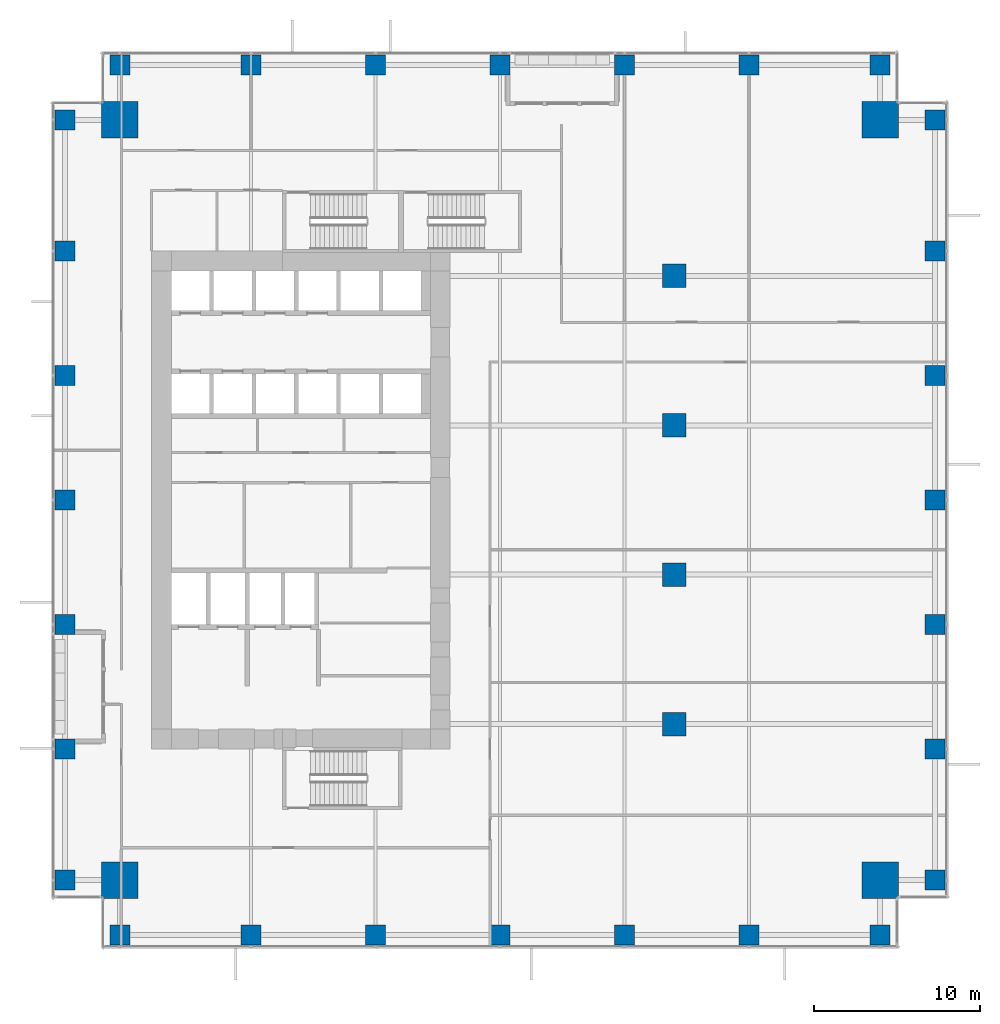
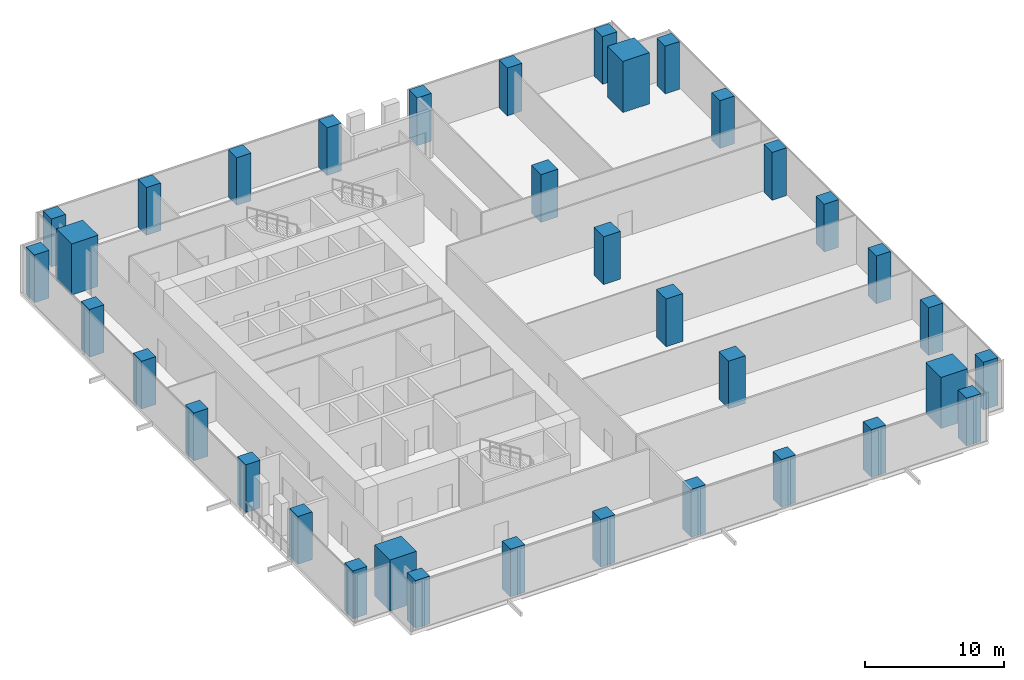
# One storey, part 1 of 33: 36 columns.
"""IFC4 building model written with IfcOpenShell, lengths in metres."""

from ifc_helpers import new_model, si_unit, direction, frame, origin, origin_2d, place, context, subcontext, project, spatial, rectangle, extrude, source, transform, mapped, material, material_profile, profile_set, type_object, element, save


model = new_model("IFC4")

# Units and contexts
model_context = context("Model", 3, precision=1e-05, world=origin(), true_north=direction((0.0, 1.0)))
body_context = subcontext(model_context, "Body", "Model", "MODEL_VIEW")
ifc_project = project(units=[si_unit("LENGTHUNIT", "METRE"), si_unit("AREAUNIT", "SQUARE_METRE"), si_unit("VOLUMEUNIT", "CUBIC_METRE"), si_unit("PLANEANGLEUNIT", "RADIAN"), si_unit("MASSUNIT", "GRAM", prefix="KILO")], contexts=[model_context])

# Site, building, storey
site_placement = place(None, origin())
site = spatial("IfcSite", under=ifc_project, at=site_placement, CompositionType="ELEMENT")
building_placement = place(site_placement, origin())
building = spatial("IfcBuilding", under=site, at=building_placement, Name="Khomas Fold Tower", CompositionType="ELEMENT")
storey_placement = place(building_placement, frame((0.0, 0.0, 55.5)))
storey = spatial("IfcBuildingStorey", under=building, at=storey_placement, Name="L11", CompositionType="ELEMENT", Elevation=55.5)

# Columns
ifc_material_1 = material(Name="Concrete C70/85", Category="concrete")
ifc_material_profile_1 = material_profile(ifc_material_1, rectangle(XDim=2.199951171875, YDim=2.199951171875, at=origin_2d()), Name="RC 2200x2200")
ifc_profile_set_1 = profile_set([ifc_material_profile_1], Name="Concrete C70/85")
column_type_1 = type_object("IfcColumnType", Name="RC 2200x2200 column", PredefinedType="COLUMN", material=ifc_profile_set_1)
shared_shape_1 = source(origin(), body_context, "Body", "SweptSolid", [
    extrude(rectangle(XDim=2.199951171875, YDim=2.199951171875, at=origin_2d()), origin(), (0.0, 0.0, 1.0), 4.5),
])
for number, where, z_axis, x_axis, name in (
    (1, (49.89990234375, 49.89990234375, 0.0), (0.0, 0.0, 1.0), (1.0, 0.0, 0.0), "CM-NE"),
    (2, (4.10009765625, 49.89990234375, 0.0), (0.0, 0.0, 1.0), (1.0, 0.0, 0.0), "CM-NW"),
    (3, (49.89990234375, 4.10009765625, 0.0), (0.0, 0.0, 1.0), (1.0, 0.0, 0.0), "CM-SE"),
    (4, (4.10009765625, 4.10009765625, 0.0), (0.0, 0.0, 1.0), (1.0, 0.0, 0.0), "CM-SW"),
):
    element("IfcColumn", number, at=place(storey_placement, frame(where, z_axis=z_axis, x_axis=x_axis)), inside=storey, type_object=column_type_1, Name=name, PredefinedType="COLUMN", context=body_context, shape_type="MappedRepresentation", body=[
        mapped(shared_shape_1, transform((0.0, 0.0, 0.0))),
    ])
ifc_material_2 = material(Name="Concrete C60/75", Category="concrete")
ifc_material_profile_2 = material_profile(ifc_material_2, rectangle(XDim=1.199951171875, YDim=1.199951171875, at=origin_2d()), Name="RC 1200x1200")
ifc_profile_set_2 = profile_set([ifc_material_profile_2], Name="Concrete C60/75")
column_type_2 = type_object("IfcColumnType", Name="RC 1200x1200 column", PredefinedType="COLUMN", material=ifc_profile_set_2)
shared_shape_2 = source(origin(), body_context, "Body", "SweptSolid", [
    extrude(rectangle(XDim=1.199951171875, YDim=1.199951171875, at=origin_2d()), origin(), (0.0, 0.0, 1.0), 4.199951171875),
])
for number, where, z_axis, x_axis, name in (
    (5, (4.10009765625, 0.800048828125, 0.0), (0.0, 0.0, 1.0), (1.0, 0.0, 0.0), "C-2-SF1"),
    (6, (12.0, 0.800048828125, 0.0), (0.0, 0.0, 1.0), (1.0, 0.0, 0.0), "C-6-SF1"),
    (7, (19.5, 0.800048828125, 0.0), (0.0, 0.0, 1.0), (1.0, 0.0, 0.0), "C-8-SF1"),
    (8, (27.0, 0.800048828125, 0.0), (0.0, 0.0, 1.0), (1.0, 0.0, 0.0), "C-9-SF1"),
    (9, (34.5, 0.800048828125, 0.0), (0.0, 0.0, 1.0), (1.0, 0.0, 0.0), "C-10-SF1"),
    (10, (42.0, 0.800048828125, 0.0), (0.0, 0.0, 1.0), (1.0, 0.0, 0.0), "C-13-SF1"),
    (11, (49.89990234375, 0.800048828125, 0.0), (0.0, 0.0, 1.0), (1.0, 0.0, 0.0), "C-17-SF1"),
    (12, (53.199951171875, 4.10009765625, 0.0), (0.0, 0.0, 1.0), (1.0, 0.0, 0.0), "C-E1-A"),
    (13, (53.199951171875, 12.0, 0.0), (0.0, 0.0, 1.0), (1.0, 0.0, 0.0), "C-E1-F"),
    (14, (53.199951171875, 19.5, 0.0), (0.0, 0.0, 1.0), (1.0, 0.0, 0.0), "C-E1-J"),
    (15, (53.199951171875, 27.0, 0.0), (0.0, 0.0, 1.0), (1.0, 0.0, 0.0), "C-E1-L"),
    (16, (53.199951171875, 34.5, 0.0), (0.0, 0.0, 1.0), (1.0, 0.0, 0.0), "C-E1-N"),
    (17, (53.199951171875, 42.0, 0.0), (0.0, 0.0, 1.0), (1.0, 0.0, 0.0), "C-E1-R"),
    (18, (53.199951171875, 49.89990234375, 0.0), (0.0, 0.0, 1.0), (1.0, 0.0, 0.0), "C-E1-W"),
    (19, (4.10009765625, 53.199951171875, 0.0), (0.0, 0.0, 1.0), (1.0, 0.0, 0.0), "C-2-NF1"),
    (20, (12.0, 53.199951171875, 0.0), (0.0, 0.0, 1.0), (1.0, 0.0, 0.0), "C-6-NF1"),
    (21, (19.5, 53.199951171875, 0.0), (0.0, 0.0, 1.0), (1.0, 0.0, 0.0), "C-8-NF1"),
    (22, (27.0, 53.199951171875, 0.0), (0.0, 0.0, 1.0), (1.0, 0.0, 0.0), "C-9-NF1"),
    (23, (34.5, 53.199951171875, 0.0), (0.0, 0.0, 1.0), (1.0, 0.0, 0.0), "C-10-NF1"),
    (24, (42.0, 53.199951171875, 0.0), (0.0, 0.0, 1.0), (1.0, 0.0, 0.0), "C-13-NF1"),
    (25, (49.89990234375, 53.199951171875, 0.0), (0.0, 0.0, 1.0), (1.0, 0.0, 0.0), "C-17-NF1"),
    (26, (0.800048828125, 4.10009765625, 0.0), (0.0, 0.0, 1.0), (1.0, 0.0, 0.0), "C-W1-A"),
    (27, (0.800048828125, 12.0, 0.0), (0.0, 0.0, 1.0), (1.0, 0.0, 0.0), "C-W1-F"),
    (28, (0.800048828125, 19.5, 0.0), (0.0, 0.0, 1.0), (1.0, 0.0, 0.0), "C-W1-J"),
    (29, (0.800048828125, 27.0, 0.0), (0.0, 0.0, 1.0), (1.0, 0.0, 0.0), "C-W1-L"),
    (30, (0.800048828125, 34.5, 0.0), (0.0, 0.0, 1.0), (1.0, 0.0, 0.0), "C-W1-N"),
    (31, (0.800048828125, 42.0, 0.0), (0.0, 0.0, 1.0), (1.0, 0.0, 0.0), "C-W1-R"),
    (32, (0.800048828125, 49.89990234375, 0.0), (0.0, 0.0, 1.0), (1.0, 0.0, 0.0), "C-W1-W"),
):
    element("IfcColumn", number, at=place(storey_placement, frame(where, z_axis=z_axis, x_axis=x_axis)), inside=storey, type_object=column_type_2, Name=name, PredefinedType="COLUMN", context=body_context, shape_type="MappedRepresentation", body=[
        mapped(shared_shape_2, transform((0.0, 0.0, 0.0))),
    ])
ifc_material_3 = material(Name="Concrete C60/75", Category="concrete")
ifc_material_profile_3 = material_profile(ifc_material_3, rectangle(XDim=1.39990234375, YDim=1.39990234375, at=origin_2d()), Name="RC 1400x1400")
ifc_profile_set_3 = profile_set([ifc_material_profile_3], Name="Concrete C60/75")
column_type_3 = type_object("IfcColumnType", Name="RC 1400x1400 column", PredefinedType="COLUMN", material=ifc_profile_set_3)
shared_shape_3 = source(origin(), body_context, "Body", "SweptSolid", [
    extrude(rectangle(XDim=1.39990234375, YDim=1.39990234375, at=origin_2d()), origin(), (0.0, 0.0, 1.0), 4.199951171875),
])
for number, where, z_axis, x_axis, name in (
    (33, (37.5, 13.5, 0.0), (0.0, 0.0, 1.0), (1.0, 0.0, 0.0), "C-11-H"),
    (34, (37.5, 22.5, 0.0), (0.0, 0.0, 1.0), (1.0, 0.0, 0.0), "C-11-K"),
    (35, (37.5, 31.5, 0.0), (0.0, 0.0, 1.0), (1.0, 0.0, 0.0), "C-11-M"),
    (36, (37.5, 40.5, 0.0), (0.0, 0.0, 1.0), (1.0, 0.0, 0.0), "C-11-P"),
):
    element("IfcColumn", number, at=place(storey_placement, frame(where, z_axis=z_axis, x_axis=x_axis)), inside=storey, type_object=column_type_3, Name=name, PredefinedType="COLUMN", context=body_context, shape_type="MappedRepresentation", body=[
        mapped(shared_shape_3, transform((0.0, 0.0, 0.0))),
    ])

save(model, "model.ifc")
